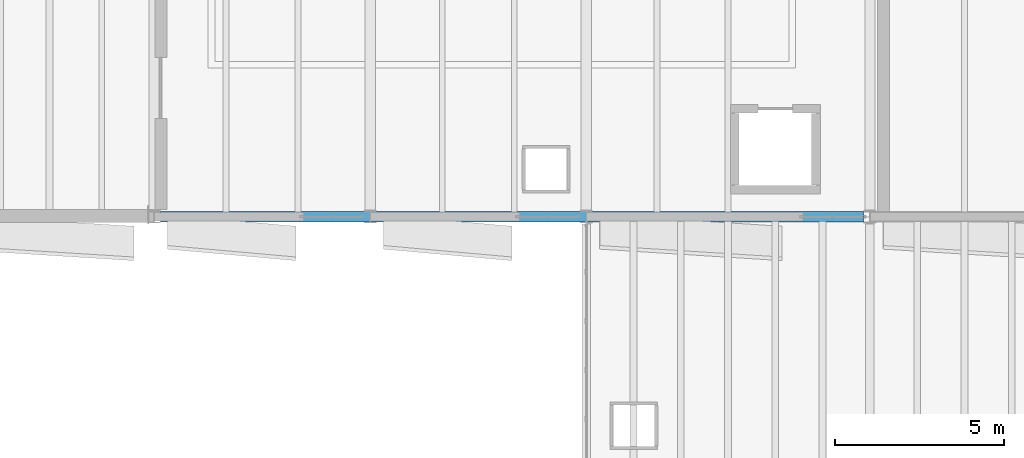
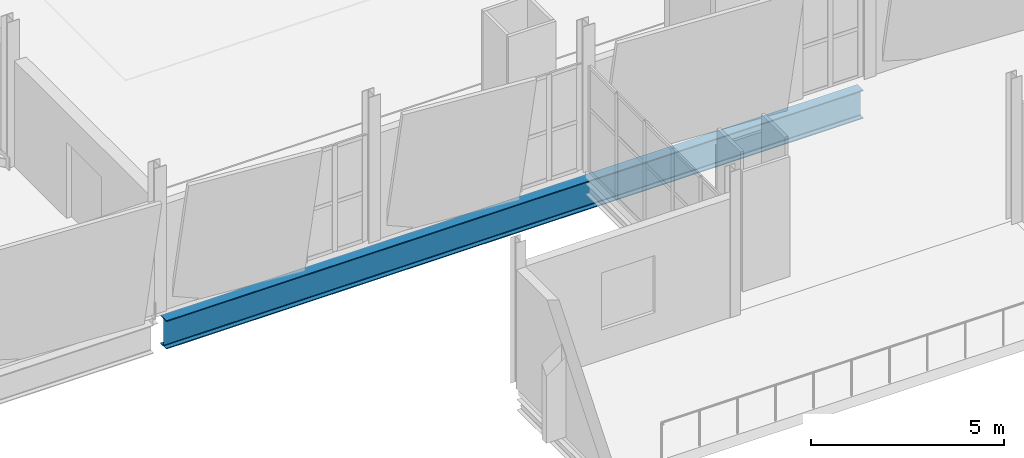
# One storey, part 21 of 172: 1 beam.
"""IFC4 building model written with IfcOpenShell, lengths in metres."""

from ifc_helpers import new_model, si_unit, direction, frame, origin, origin_2d, place, context, subcontext, project, spatial, i_section, extrude, material, material_profile, profile_set, type_object, element, save


model = new_model("IFC4")

# Units and contexts
model_context = context("Model", 3, precision=1e-05, world=origin(), true_north=direction((0.0, 1.0)))
body_context = subcontext(model_context, "Body", "Model", "MODEL_VIEW")
ifc_project = project(units=[si_unit("LENGTHUNIT", "METRE"), si_unit("AREAUNIT", "SQUARE_METRE"), si_unit("VOLUMEUNIT", "CUBIC_METRE"), si_unit("PLANEANGLEUNIT", "RADIAN"), si_unit("MASSUNIT", "GRAM", prefix="KILO")], contexts=[model_context])

# Site, building, storey
site_placement = place(None, origin())
site = spatial("IfcSite", under=ifc_project, at=site_placement, CompositionType="ELEMENT")
building_placement = place(site_placement, origin())
building = spatial("IfcBuilding", under=site, at=building_placement, Name="Shengluoqiao Park Theatre", CompositionType="ELEMENT")
storey_placement = place(building_placement, frame((0.0, 0.0, 5.39990234375)))
storey = spatial("IfcBuildingStorey", under=building, at=storey_placement, Name="L01", CompositionType="ELEMENT", Elevation=5.39990234375)

# Beam
ifc_material = material(Name="Steel Q390", Category="steel")
ifc_material_profile = material_profile(ifc_material, i_section(OverallWidth=0.300048828125, OverallDepth=0.89990234375, WebThickness=0.01611328125, FlangeThickness=0.028076171875, FilletRadius=0.028076171875, at=origin_2d()), Name="HN 900x300x16x28")
ifc_profile_set = profile_set([ifc_material_profile], Name="Steel Q390")
beam_type = type_object("IfcBeamType", Name="STR-BM-G-HN900", PredefinedType="BEAM", material=ifc_profile_set)
beam_placement = place(storey_placement, frame((6.591552734375, 30.39990234375, -0.789794921875), z_axis=(1.0, 0.0, 0.0), x_axis=(0.0, 1.0, 0.0)))
element("IfcBeam", 1, at=beam_placement, inside=storey, type_object=beam_type, Name="CT-V3-1 L01 Continuous Back-Span Chord", PredefinedType="BEAM", context=body_context, shape_type="SweptSolid", body=[
    extrude(i_section(OverallWidth=0.300048828125, OverallDepth=0.89990234375, WebThickness=0.01611328125, FlangeThickness=0.028076171875, FilletRadius=0.028076171875, at=origin_2d()), origin(), (0.0, 0.0, 1.0), 20.81689453125),
])

save(model, "model.ifc")
